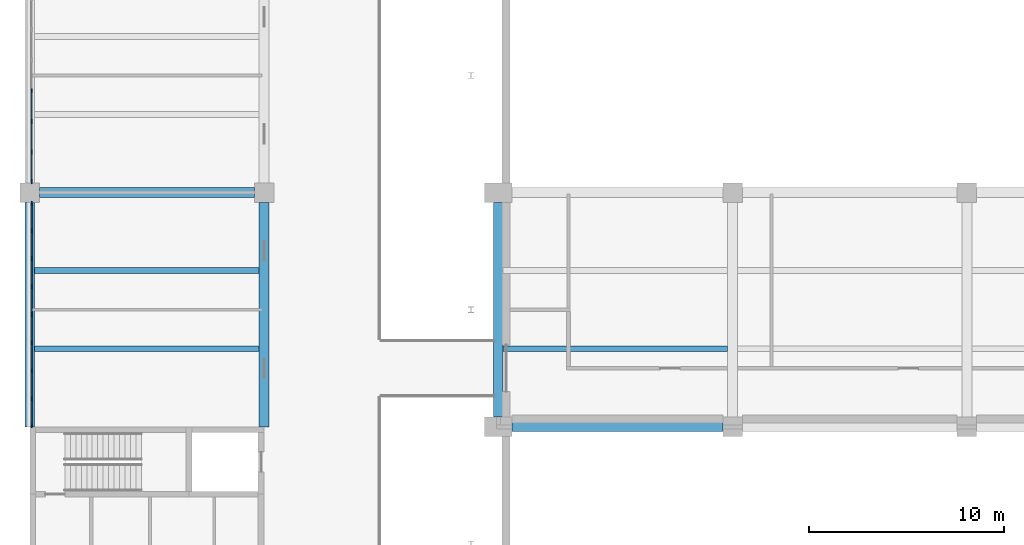
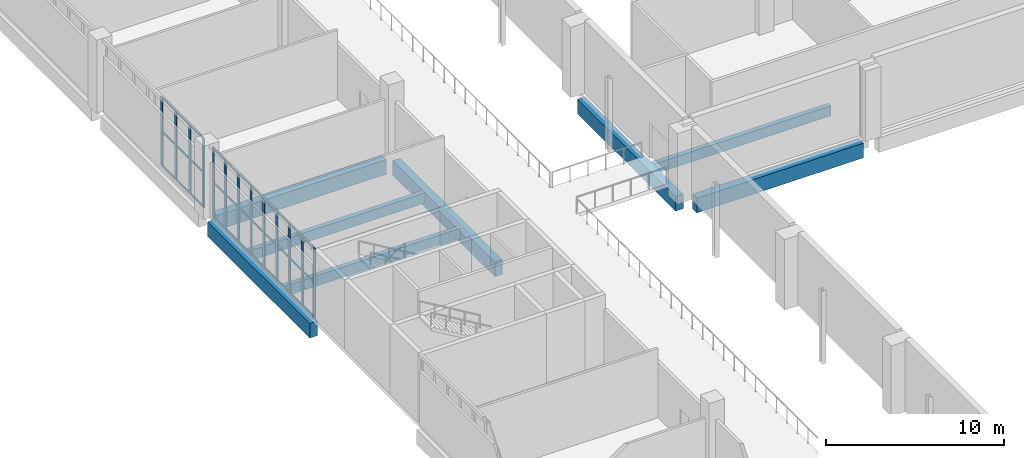
# One storey, part 18 of 69: 46 members, 8 beams, 2 elements without a shape of their own.
"""IFC4 building model written with IfcOpenShell, lengths in metres."""

import ifcopenshell
import ifcopenshell.guid

model = None  # the IFC model being written
_history = None  # IfcOwnerHistory: only IFC2X3 demands one
_inside = {}  # id of a spatial element -> (the spatial element, [elements in it])
_under = {}  # id of a project, library or spatial element -> (it, [spatial elements below it])
_declared = {}  # id of a project -> (the project, [libraries it declares])
_typed = {}  # id of a type object -> (the type object, [elements of that type])
_made_of = {}  # id of a material, layer set ... -> (it, [elements and type objects made of it])


def new_model(schema):
    """Start an empty IFC model of exactly this schema.

    Asked for "IFC4X3", IfcOpenShell would pick the latest addendum, in which some entities
    have other attributes; the version numbers below select the first issue.
    IFC2X3 requires an IfcOwnerHistory on every rooted entity: one is made here for all.
    """
    global model, _history
    if schema == "IFC4X3":
        model = ifcopenshell.file(schema_version=(4, 3, 0, 0))
    else:
        model = ifcopenshell.file(schema=schema)
    _inside.clear()
    _under.clear()
    _declared.clear()
    _typed.clear()
    _made_of.clear()
    _history = None
    if model.schema == "IFC2X3":
        org = make("IfcOrganization", Name="unknown")
        user = make(
            "IfcPersonAndOrganization",
            ThePerson=make("IfcPerson", FamilyName="unknown"),
            TheOrganization=org,
        )
        app = make(
            "IfcApplication",
            ApplicationDeveloper=org,
            Version="unknown",
            ApplicationFullName="unknown",
            ApplicationIdentifier="unknown",
        )
        _history = make(
            "IfcOwnerHistory",
            OwningUser=user,
            OwningApplication=app,
            ChangeAction="ADDED",
            CreationDate=0,
        )
    return model


def make(cls, **values):
    """One entity of the class cls with the attributes given. An attribute that is None is left unset."""
    return model.create_entity(
        cls, **{name: value for name, value in values.items() if value is not None}
    )


def rooted(cls, **values):
    """An entity with a GlobalId (a new one), such as an element, a storey or a relation."""
    return make(cls, GlobalId=ifcopenshell.guid.new(), OwnerHistory=_history, **values)


def si_unit(unit_type, name, prefix=None):
    """IfcSIUnit, for example si_unit("LENGTHUNIT", "METRE", prefix="MILLI")."""
    return make("IfcSIUnit", UnitType=unit_type, Prefix=prefix, Name=name)


def assignment(units):
    """IfcUnitAssignment: the units of a project."""
    return None if units is None else make("IfcUnitAssignment", Units=units)


def point(xyz):
    """IfcCartesianPoint."""
    return None if xyz is None else make("IfcCartesianPoint", Coordinates=xyz)


def direction(xyz):
    """IfcDirection."""
    return None if xyz is None else make("IfcDirection", DirectionRatios=xyz)


def frame(location, z_axis=None, x_axis=None):
    """IfcAxis2Placement3D, a coordinate frame: its origin and axes. An axis left out is left unset."""
    return make(
        "IfcAxis2Placement3D",
        Location=point(location),
        Axis=direction(z_axis),
        RefDirection=direction(x_axis),
    )


def frame_2d(location, x_axis=None):
    """IfcAxis2Placement2D, a coordinate frame in the plane: its origin and x axis."""
    return make(
        "IfcAxis2Placement2D", Location=point(location), RefDirection=direction(x_axis)
    )


def origin():
    """The frame at (0, 0, 0) with its axes left unset."""
    return frame((0.0, 0.0, 0.0))


def origin_2d():
    """The frame at (0, 0) in the plane with its x axis left unset."""
    return frame_2d((0.0, 0.0))


def place(relative_to, where):
    """IfcLocalPlacement: puts the frame where relative to a parent placement (None: the world)."""
    return make(
        "IfcLocalPlacement", PlacementRelTo=relative_to, RelativePlacement=where
    )


def context(
    kind, dimensions, precision=None, world=None, true_north=None, identifier=None
):
    """IfcGeometricRepresentationContext, for example the 3D "Model" context."""
    return make(
        "IfcGeometricRepresentationContext",
        ContextIdentifier=identifier,
        ContextType=kind,
        CoordinateSpaceDimension=dimensions,
        Precision=precision,
        WorldCoordinateSystem=world,
        TrueNorth=true_north,
    )


def subcontext(parent, identifier, kind, view, scale=None):
    """IfcGeometricRepresentationSubContext, for example "Body" below "Model"."""
    return make(
        "IfcGeometricRepresentationSubContext",
        ContextIdentifier=identifier,
        ContextType=kind,
        ParentContext=parent,
        TargetScale=scale,
        TargetView=view,
    )


def project(units=None, contexts=None):
    """IfcProject with its units and contexts."""
    return rooted(
        "IfcProject",
        Name="project",
        RepresentationContexts=contexts,
        UnitsInContext=assignment(units),
    )


def spatial(cls, under=None, at=None, **own):
    """A site, building, storey or space (cls), placed at a placement, below another one or the project."""
    s = rooted(cls, ObjectPlacement=at, **own)
    if under is not None:
        _under.setdefault(under.id(), (under, []))[1].append(s)
    return s


def profile(cls, at=None, kind="AREA", **sizes):
    """A parametric profile (cls). Its sizes go by their IFC names, for example OverallWidth=200.0."""
    return make(cls, ProfileType=kind, Position=at, **sizes)


def rectangle(**sizes):
    """IfcRectangleProfileDef."""
    return profile("IfcRectangleProfileDef", **sizes)


def extrude(swept, where, along, depth):
    """IfcExtrudedAreaSolid: the profile swept, set in the frame where, extruded along a direction by depth."""
    return make(
        "IfcExtrudedAreaSolid",
        SweptArea=swept,
        Position=where,
        ExtrudedDirection=direction(along),
        Depth=depth,
    )


def shape(context_of_items, identifier, shape_type, items):
    """IfcShapeRepresentation: the items that make up one representation, for example the "Body"."""
    return make(
        "IfcShapeRepresentation",
        ContextOfItems=context_of_items,
        RepresentationIdentifier=identifier,
        RepresentationType=shape_type,
        Items=items,
    )


def material(Name=None, Category=None):
    """IfcMaterial."""
    return make("IfcMaterial", Name=Name, Category=Category)


def layer(
    of_material, thickness, ventilated=None, Name=None, Category=None, Priority=None
):
    """IfcMaterialLayer: one layer of a wall or slab, of a material (None: an air gap)."""
    return make(
        "IfcMaterialLayer",
        Material=of_material,
        LayerThickness=thickness,
        IsVentilated=ventilated,
        Name=Name,
        Category=Category,
        Priority=Priority,
    )


def layer_set(layers, Name=None):
    """IfcMaterialLayerSet."""
    return make("IfcMaterialLayerSet", MaterialLayers=layers, LayerSetName=Name)


def material_profile(
    of_material, cross_section, Name=None, Category=None, Priority=None
):
    """IfcMaterialProfile: a cross section and its material."""
    return make(
        "IfcMaterialProfile",
        Name=Name,
        Material=of_material,
        Profile=cross_section,
        Priority=Priority,
        Category=Category,
    )


def profile_set(profiles, Name=None, composite=None):
    """IfcMaterialProfileSet."""
    return make(
        "IfcMaterialProfileSet",
        Name=Name,
        MaterialProfiles=profiles,
        CompositeProfile=composite,
    )


def made_of(thing, what):
    """Note that an element or type object is made of a material, layer set ...; save() writes the relation."""
    if what is not None:
        _made_of.setdefault(what.id(), (what, []))[1].append(thing)
    return thing


def type_object(cls, material=None, **own):
    """A type object (cls), such as IfcWallType, which elements share."""
    return made_of(rooted(cls, **own), material)


def element(
    cls,
    number,
    at=None,
    inside=None,
    cuts=None,
    type_object=None,
    material=None,
    context=None,
    identifier="Body",
    shape_type=None,
    held_by="IfcProductDefinitionShape",
    body=None,
    shapes=None,
    **own,
):
    """One element of the class cls, such as IfcWall. Its Tag is "e" and its number.

    at: its placement. inside: the storey or other place that contains it. cuts: it is an
    opening in that element (IfcRelVoidsElement). A single representation is given by context,
    identifier, shape_type and body (its items); several are given by shapes. held_by: the class
    of the entity that holds the representations. save() writes the other relations.
    """
    e = rooted(cls, Tag="e%d" % number, ObjectPlacement=at, **own)
    if body is not None:
        shapes = [shape(context, identifier, shape_type, body)]
    if shapes is not None:
        e.Representation = make(held_by, Representations=shapes)
    if inside is not None:
        _inside.setdefault(inside.id(), (inside, []))[1].append(e)
    if cuts is not None:
        rooted(
            "IfcRelVoidsElement", RelatingBuildingElement=cuts, RelatedOpeningElement=e
        )
    if type_object is not None:
        _typed.setdefault(type_object.id(), (type_object, []))[1].append(e)
    return made_of(e, material)


def aggregate(whole, parts):
    """IfcRelAggregates: a whole, such as a stair, and the parts it consists of."""
    return rooted("IfcRelAggregates", RelatingObject=whole, RelatedObjects=parts)


def save(model, path):
    """Write the relations noted so far, then the file.

    IfcRelAggregates (storeys below a building ...), IfcRelContainedInSpatialStructure (elements
    in a storey), IfcRelDefinesByType, IfcRelAssociatesMaterial and IfcRelDeclares: one each for
    every whole, place, type object, material and project.
    """
    for whole, parts in _under.values():
        aggregate(whole, parts)
    for where, things in _inside.values():
        rooted(
            "IfcRelContainedInSpatialStructure",
            RelatedElements=things,
            RelatingStructure=where,
        )
    for kind, things in _typed.values():
        rooted("IfcRelDefinesByType", RelatedObjects=things, RelatingType=kind)
    for what, things in _made_of.values():
        rooted("IfcRelAssociatesMaterial", RelatedObjects=things, RelatingMaterial=what)
    for by, libraries in _declared.values():
        rooted("IfcRelDeclares", RelatingContext=by, RelatedDefinitions=libraries)
    model.write(path)


model = new_model("IFC4")

# Units and contexts
model_context = context("Model", 3, precision=1e-05, world=origin(), true_north=direction((0.0, 1.0)))
body_context = subcontext(model_context, "Body", "Model", "MODEL_VIEW")
ifc_project = project(units=[si_unit("LENGTHUNIT", "METRE"), si_unit("AREAUNIT", "SQUARE_METRE"), si_unit("VOLUMEUNIT", "CUBIC_METRE"), si_unit("PLANEANGLEUNIT", "RADIAN"), si_unit("MASSUNIT", "GRAM", prefix="KILO")], contexts=[model_context])

# Site, building, storey
site_placement = place(None, origin())
site = spatial("IfcSite", under=ifc_project, at=site_placement, CompositionType="ELEMENT")
building_placement = place(site_placement, origin())
building = spatial("IfcBuilding", under=site, at=building_placement, Name="Lilac Gate Convention Centre", CompositionType="ELEMENT")
storey_placement = place(building_placement, frame((0.0, 0.0, 12.0)))
storey = spatial("IfcBuildingStorey", under=building, at=storey_placement, Name="L02", CompositionType="ELEMENT", Elevation=12.0)

# Curtain wall, members
ifc_material_1 = material(Name="Aluminium framed double glazing", Category="aluminium")
ifc_layer = layer(ifc_material_1, 0.199951171875)
ifc_layer_set = layer_set([ifc_layer], Name="Aluminium framed double glazing")
curtain_wall_type = type_object("IfcCurtainWallType", Name="Unitised curtain wall 1500", PredefinedType="NOTDEFINED", material=ifc_layer_set)
curtain_wall_1_placement = place(storey_placement, origin())
curtain_wall_1 = element("IfcCurtainWall", 1, at=curtain_wall_1_placement, inside=storey, type_object=curtain_wall_type, Name="Curtain wall PW L02 7", PredefinedType="NOTDEFINED")
ifc_material_2 = material(Name="Aluminium alloy 6063", Category="aluminium")
ifc_material_profile_1 = material_profile(ifc_material_2, rectangle(XDim=0.06005859375, YDim=0.219970703125, at=origin_2d()), Name="Curtain wall mullion 60 x 220")
ifc_profile_set_1 = profile_set([ifc_material_profile_1], Name="Aluminium alloy 6063")
member_type_1 = type_object("IfcMemberType", Name="Curtain wall mullion 60 x 220", PredefinedType="MULLION", material=ifc_profile_set_1)
member_1_placement = place(storey_placement, frame((6.10009765625, 119.21435546875, 0.0), z_axis=(0.0, 0.0, 1.0), x_axis=(1.0, 0.0, 0.0)))
member_1 = element("IfcMember", 2, at=member_1_placement, type_object=member_type_1, Name="CW mullion 5", PredefinedType="MULLION", context=body_context, shape_type="SweptSolid", body=[
    extrude(rectangle(XDim=0.06005859375, YDim=0.219970703125, at=origin_2d()), origin(), (0.0, 0.0, 1.0), 4.75),
])
member_2_placement = place(storey_placement, frame((6.10009765625, 117.642822265625, 0.0), z_axis=(0.0, 0.0, 1.0), x_axis=(1.0, 0.0, 0.0)))
member_2 = element("IfcMember", 3, at=member_2_placement, type_object=member_type_1, Name="CW mullion 6", PredefinedType="MULLION", context=body_context, shape_type="SweptSolid", body=[
    extrude(rectangle(XDim=0.06005859375, YDim=0.219970703125, at=origin_2d()), origin(), (0.0, 0.0, 1.0), 4.75),
])
member_3_placement = place(storey_placement, frame((6.10009765625, 116.071533203125, 0.0), z_axis=(0.0, 0.0, 1.0), x_axis=(1.0, 0.0, 0.0)))
member_3 = element("IfcMember", 4, at=member_3_placement, type_object=member_type_1, Name="CW mullion 7", PredefinedType="MULLION", context=body_context, shape_type="SweptSolid", body=[
    extrude(rectangle(XDim=0.06005859375, YDim=0.219970703125, at=origin_2d()), origin(), (0.0, 0.0, 1.0), 4.75),
])
member_4_placement = place(storey_placement, frame((6.10009765625, 114.56005859375, 0.0), z_axis=(0.0, 0.0, 1.0), x_axis=(1.0, 0.0, 0.0)))
member_4 = element("IfcMember", 5, at=member_4_placement, type_object=member_type_1, Name="CW mullion 8", PredefinedType="MULLION", context=body_context, shape_type="SweptSolid", body=[
    extrude(rectangle(XDim=0.06005859375, YDim=0.219970703125, at=origin_2d()), origin(), (0.0, 0.0, 1.0), 4.75),
])

curtain_wall_2_placement = place(storey_placement, origin())
curtain_wall_2 = element("IfcCurtainWall", 6, at=curtain_wall_2_placement, inside=storey, type_object=curtain_wall_type, Name="Curtain wall PW L02 8", PredefinedType="NOTDEFINED")
member_5_placement = place(storey_placement, frame((6.10009765625, 113.43994140625, 0.0), z_axis=(0.0, 0.0, 1.0), x_axis=(1.0, 0.0, 0.0)))
member_5 = element("IfcMember", 7, at=member_5_placement, type_object=member_type_1, Name="CW mullion 1", PredefinedType="MULLION", context=body_context, shape_type="SweptSolid", body=[
    extrude(rectangle(XDim=0.06005859375, YDim=0.219970703125, at=origin_2d()), origin(), (0.0, 0.0, 1.0), 4.75),
])
member_6_placement = place(storey_placement, frame((6.10009765625, 112.0625, 0.0), z_axis=(0.0, 0.0, 1.0), x_axis=(1.0, 0.0, 0.0)))
member_6 = element("IfcMember", 8, at=member_6_placement, type_object=member_type_1, Name="CW mullion 2", PredefinedType="MULLION", context=body_context, shape_type="SweptSolid", body=[
    extrude(rectangle(XDim=0.06005859375, YDim=0.219970703125, at=origin_2d()), origin(), (0.0, 0.0, 1.0), 4.75),
])
member_7_placement = place(storey_placement, frame((6.10009765625, 110.625, 0.0), z_axis=(0.0, 0.0, 1.0), x_axis=(1.0, 0.0, 0.0)))
member_7 = element("IfcMember", 9, at=member_7_placement, type_object=member_type_1, Name="CW mullion 3", PredefinedType="MULLION", context=body_context, shape_type="SweptSolid", body=[
    extrude(rectangle(XDim=0.06005859375, YDim=0.219970703125, at=origin_2d()), origin(), (0.0, 0.0, 1.0), 4.75),
])
member_8_placement = place(storey_placement, frame((6.10009765625, 109.1875, 0.0), z_axis=(0.0, 0.0, 1.0), x_axis=(1.0, 0.0, 0.0)))
member_8 = element("IfcMember", 10, at=member_8_placement, type_object=member_type_1, Name="CW mullion 4", PredefinedType="MULLION", context=body_context, shape_type="SweptSolid", body=[
    extrude(rectangle(XDim=0.06005859375, YDim=0.219970703125, at=origin_2d()), origin(), (0.0, 0.0, 1.0), 4.75),
])
member_9_placement = place(storey_placement, frame((6.10009765625, 107.75, 0.0), z_axis=(0.0, 0.0, 1.0), x_axis=(1.0, 0.0, 0.0)))
member_9 = element("IfcMember", 11, at=member_9_placement, type_object=member_type_1, Name="CW mullion 5", PredefinedType="MULLION", context=body_context, shape_type="SweptSolid", body=[
    extrude(rectangle(XDim=0.06005859375, YDim=0.219970703125, at=origin_2d()), origin(), (0.0, 0.0, 1.0), 4.75),
])
member_10_placement = place(storey_placement, frame((6.10009765625, 106.3125, 0.0), z_axis=(0.0, 0.0, 1.0), x_axis=(1.0, 0.0, 0.0)))
member_10 = element("IfcMember", 12, at=member_10_placement, type_object=member_type_1, Name="CW mullion 6", PredefinedType="MULLION", context=body_context, shape_type="SweptSolid", body=[
    extrude(rectangle(XDim=0.06005859375, YDim=0.219970703125, at=origin_2d()), origin(), (0.0, 0.0, 1.0), 4.75),
])
member_11_placement = place(storey_placement, frame((6.10009765625, 104.875, 0.0), z_axis=(0.0, 0.0, 1.0), x_axis=(1.0, 0.0, 0.0)))
member_11 = element("IfcMember", 13, at=member_11_placement, type_object=member_type_1, Name="CW mullion 7", PredefinedType="MULLION", context=body_context, shape_type="SweptSolid", body=[
    extrude(rectangle(XDim=0.06005859375, YDim=0.219970703125, at=origin_2d()), origin(), (0.0, 0.0, 1.0), 4.75),
])
member_12_placement = place(storey_placement, frame((6.10009765625, 103.4375, 0.0), z_axis=(0.0, 0.0, 1.0), x_axis=(1.0, 0.0, 0.0)))
member_12 = element("IfcMember", 14, at=member_12_placement, type_object=member_type_1, Name="CW mullion 8", PredefinedType="MULLION", context=body_context, shape_type="SweptSolid", body=[
    extrude(rectangle(XDim=0.06005859375, YDim=0.219970703125, at=origin_2d()), origin(), (0.0, 0.0, 1.0), 4.75),
])
member_13_placement = place(storey_placement, frame((6.10009765625, 102.06005859375, 0.0), z_axis=(0.0, 0.0, 1.0), x_axis=(1.0, 0.0, 0.0)))
member_13 = element("IfcMember", 15, at=member_13_placement, type_object=member_type_1, Name="CW mullion 9", PredefinedType="MULLION", context=body_context, shape_type="SweptSolid", body=[
    extrude(rectangle(XDim=0.06005859375, YDim=0.219970703125, at=origin_2d()), origin(), (0.0, 0.0, 1.0), 4.75),
])

# Member
ifc_material_profile_2 = material_profile(ifc_material_2, rectangle(XDim=0.06005859375, YDim=0.1201171875, at=origin_2d()), Name="Curtain wall transom 60 x 120")
ifc_profile_set_2 = profile_set([ifc_material_profile_2], Name="Aluminium alloy 6063")
member_type_2 = type_object("IfcMemberType", Name="Curtain wall transom 60 x 120", PredefinedType="USERDEFINED", material=ifc_profile_set_2)
member_14_placement = place(storey_placement, frame((6.10009765625, 119.184326171875, 0.030029296875), z_axis=(0.0, -1.0, 0.0), x_axis=(1.0, 0.0, 0.0)))
member_14 = element("IfcMember", 16, at=member_14_placement, type_object=member_type_2, Name="CW transom 5.1", ObjectType="TRANSOM", PredefinedType="USERDEFINED", context=body_context, shape_type="SweptSolid", body=[
    extrude(rectangle(XDim=0.06005859375, YDim=0.1201171875, at=origin_2d()), origin(), (0.0, 0.0, 1.0), 1.511474609375),
])

member_15_placement = place(storey_placement, frame((6.10009765625, 119.184326171875, 2.375), z_axis=(0.0, -1.0, 0.0), x_axis=(1.0, 0.0, 0.0)))
member_15 = element("IfcMember", 17, at=member_15_placement, type_object=member_type_2, Name="CW transom 5.2", ObjectType="TRANSOM", PredefinedType="USERDEFINED", context=body_context, shape_type="SweptSolid", body=[
    extrude(rectangle(XDim=0.06005859375, YDim=0.1201171875, at=origin_2d()), origin(), (0.0, 0.0, 1.0), 1.511474609375),
])

member_16_placement = place(storey_placement, frame((6.10009765625, 119.184326171875, 4.719970703125), z_axis=(0.0, -1.0, 0.0), x_axis=(1.0, 0.0, 0.0)))
member_16 = element("IfcMember", 18, at=member_16_placement, type_object=member_type_2, Name="CW transom 5.3", ObjectType="TRANSOM", PredefinedType="USERDEFINED", context=body_context, shape_type="SweptSolid", body=[
    extrude(rectangle(XDim=0.06005859375, YDim=0.1201171875, at=origin_2d()), origin(), (0.0, 0.0, 1.0), 1.511474609375),
])

member_17_placement = place(storey_placement, frame((6.10009765625, 117.61279296875, 0.030029296875), z_axis=(0.0, -1.0, 0.0), x_axis=(1.0, 0.0, 0.0)))
member_17 = element("IfcMember", 19, at=member_17_placement, type_object=member_type_2, Name="CW transom 6.1", ObjectType="TRANSOM", PredefinedType="USERDEFINED", context=body_context, shape_type="SweptSolid", body=[
    extrude(rectangle(XDim=0.06005859375, YDim=0.1201171875, at=origin_2d()), origin(), (0.0, 0.0, 1.0), 1.511474609375),
])

member_18_placement = place(storey_placement, frame((6.10009765625, 117.61279296875, 2.375), z_axis=(0.0, -1.0, 0.0), x_axis=(1.0, 0.0, 0.0)))
member_18 = element("IfcMember", 20, at=member_18_placement, type_object=member_type_2, Name="CW transom 6.2", ObjectType="TRANSOM", PredefinedType="USERDEFINED", context=body_context, shape_type="SweptSolid", body=[
    extrude(rectangle(XDim=0.06005859375, YDim=0.1201171875, at=origin_2d()), origin(), (0.0, 0.0, 1.0), 1.511474609375),
])

member_19_placement = place(storey_placement, frame((6.10009765625, 117.61279296875, 4.719970703125), z_axis=(0.0, -1.0, 0.0), x_axis=(1.0, 0.0, 0.0)))
member_19 = element("IfcMember", 21, at=member_19_placement, type_object=member_type_2, Name="CW transom 6.3", ObjectType="TRANSOM", PredefinedType="USERDEFINED", context=body_context, shape_type="SweptSolid", body=[
    extrude(rectangle(XDim=0.06005859375, YDim=0.1201171875, at=origin_2d()), origin(), (0.0, 0.0, 1.0), 1.511474609375),
])

member_20_placement = place(storey_placement, frame((6.10009765625, 116.04150390625, 0.030029296875), z_axis=(0.0, -1.0, 0.0), x_axis=(1.0, 0.0, 0.0)))
member_20 = element("IfcMember", 22, at=member_20_placement, type_object=member_type_2, Name="CW transom 7.1", ObjectType="TRANSOM", PredefinedType="USERDEFINED", context=body_context, shape_type="SweptSolid", body=[
    extrude(rectangle(XDim=0.06005859375, YDim=0.1201171875, at=origin_2d()), origin(), (0.0, 0.0, 1.0), 1.4814453125),
])

member_21_placement = place(storey_placement, frame((6.10009765625, 116.04150390625, 2.375), z_axis=(0.0, -1.0, 0.0), x_axis=(1.0, 0.0, 0.0)))
member_21 = element("IfcMember", 23, at=member_21_placement, type_object=member_type_2, Name="CW transom 7.2", ObjectType="TRANSOM", PredefinedType="USERDEFINED", context=body_context, shape_type="SweptSolid", body=[
    extrude(rectangle(XDim=0.06005859375, YDim=0.1201171875, at=origin_2d()), origin(), (0.0, 0.0, 1.0), 1.4814453125),
])

member_22_placement = place(storey_placement, frame((6.10009765625, 116.04150390625, 4.719970703125), z_axis=(0.0, -1.0, 0.0), x_axis=(1.0, 0.0, 0.0)))
member_22 = element("IfcMember", 24, at=member_22_placement, type_object=member_type_2, Name="CW transom 7.3", ObjectType="TRANSOM", PredefinedType="USERDEFINED", context=body_context, shape_type="SweptSolid", body=[
    extrude(rectangle(XDim=0.06005859375, YDim=0.1201171875, at=origin_2d()), origin(), (0.0, 0.0, 1.0), 1.4814453125),
])

aggregate(curtain_wall_1, [member_1, member_2, member_3, member_4, member_14, member_15, member_16, member_17, member_18, member_19, member_20, member_21, member_22])

member_23_placement = place(storey_placement, frame((6.10009765625, 113.43994140625, 0.030029296875), z_axis=(0.0, -1.0, 0.0), x_axis=(1.0, 0.0, 0.0)))
member_23 = element("IfcMember", 25, at=member_23_placement, type_object=member_type_2, Name="CW transom 1.1", ObjectType="TRANSOM", PredefinedType="USERDEFINED", context=body_context, shape_type="SweptSolid", body=[
    extrude(rectangle(XDim=0.06005859375, YDim=0.1201171875, at=origin_2d()), origin(), (0.0, 0.0, 1.0), 1.347412109375),
])

member_24_placement = place(storey_placement, frame((6.10009765625, 113.43994140625, 2.375), z_axis=(0.0, -1.0, 0.0), x_axis=(1.0, 0.0, 0.0)))
member_24 = element("IfcMember", 26, at=member_24_placement, type_object=member_type_2, Name="CW transom 1.2", ObjectType="TRANSOM", PredefinedType="USERDEFINED", context=body_context, shape_type="SweptSolid", body=[
    extrude(rectangle(XDim=0.06005859375, YDim=0.1201171875, at=origin_2d()), origin(), (0.0, 0.0, 1.0), 1.347412109375),
])

member_25_placement = place(storey_placement, frame((6.10009765625, 113.43994140625, 4.719970703125), z_axis=(0.0, -1.0, 0.0), x_axis=(1.0, 0.0, 0.0)))
member_25 = element("IfcMember", 27, at=member_25_placement, type_object=member_type_2, Name="CW transom 1.3", ObjectType="TRANSOM", PredefinedType="USERDEFINED", context=body_context, shape_type="SweptSolid", body=[
    extrude(rectangle(XDim=0.06005859375, YDim=0.1201171875, at=origin_2d()), origin(), (0.0, 0.0, 1.0), 1.347412109375),
])

member_26_placement = place(storey_placement, frame((6.10009765625, 112.032470703125, 0.030029296875), z_axis=(0.0, -1.0, 0.0), x_axis=(1.0, 0.0, 0.0)))
member_26 = element("IfcMember", 28, at=member_26_placement, type_object=member_type_2, Name="CW transom 2.1", ObjectType="TRANSOM", PredefinedType="USERDEFINED", context=body_context, shape_type="SweptSolid", body=[
    extrude(rectangle(XDim=0.06005859375, YDim=0.1201171875, at=origin_2d()), origin(), (0.0, 0.0, 1.0), 1.37744140625),
])

member_27_placement = place(storey_placement, frame((6.10009765625, 112.032470703125, 2.375), z_axis=(0.0, -1.0, 0.0), x_axis=(1.0, 0.0, 0.0)))
member_27 = element("IfcMember", 29, at=member_27_placement, type_object=member_type_2, Name="CW transom 2.2", ObjectType="TRANSOM", PredefinedType="USERDEFINED", context=body_context, shape_type="SweptSolid", body=[
    extrude(rectangle(XDim=0.06005859375, YDim=0.1201171875, at=origin_2d()), origin(), (0.0, 0.0, 1.0), 1.37744140625),
])

member_28_placement = place(storey_placement, frame((6.10009765625, 112.032470703125, 4.719970703125), z_axis=(0.0, -1.0, 0.0), x_axis=(1.0, 0.0, 0.0)))
member_28 = element("IfcMember", 30, at=member_28_placement, type_object=member_type_2, Name="CW transom 2.3", ObjectType="TRANSOM", PredefinedType="USERDEFINED", context=body_context, shape_type="SweptSolid", body=[
    extrude(rectangle(XDim=0.06005859375, YDim=0.1201171875, at=origin_2d()), origin(), (0.0, 0.0, 1.0), 1.37744140625),
])

member_29_placement = place(storey_placement, frame((6.10009765625, 110.594970703125, 0.030029296875), z_axis=(0.0, -1.0, 0.0), x_axis=(1.0, 0.0, 0.0)))
member_29 = element("IfcMember", 31, at=member_29_placement, type_object=member_type_2, Name="CW transom 3.1", ObjectType="TRANSOM", PredefinedType="USERDEFINED", context=body_context, shape_type="SweptSolid", body=[
    extrude(rectangle(XDim=0.06005859375, YDim=0.1201171875, at=origin_2d()), origin(), (0.0, 0.0, 1.0), 1.37744140625),
])

member_30_placement = place(storey_placement, frame((6.10009765625, 110.594970703125, 2.375), z_axis=(0.0, -1.0, 0.0), x_axis=(1.0, 0.0, 0.0)))
member_30 = element("IfcMember", 32, at=member_30_placement, type_object=member_type_2, Name="CW transom 3.2", ObjectType="TRANSOM", PredefinedType="USERDEFINED", context=body_context, shape_type="SweptSolid", body=[
    extrude(rectangle(XDim=0.06005859375, YDim=0.1201171875, at=origin_2d()), origin(), (0.0, 0.0, 1.0), 1.37744140625),
])

member_31_placement = place(storey_placement, frame((6.10009765625, 110.594970703125, 4.719970703125), z_axis=(0.0, -1.0, 0.0), x_axis=(1.0, 0.0, 0.0)))
member_31 = element("IfcMember", 33, at=member_31_placement, type_object=member_type_2, Name="CW transom 3.3", ObjectType="TRANSOM", PredefinedType="USERDEFINED", context=body_context, shape_type="SweptSolid", body=[
    extrude(rectangle(XDim=0.06005859375, YDim=0.1201171875, at=origin_2d()), origin(), (0.0, 0.0, 1.0), 1.37744140625),
])

member_32_placement = place(storey_placement, frame((6.10009765625, 109.157470703125, 0.030029296875), z_axis=(0.0, -1.0, 0.0), x_axis=(1.0, 0.0, 0.0)))
member_32 = element("IfcMember", 34, at=member_32_placement, type_object=member_type_2, Name="CW transom 4.1", ObjectType="TRANSOM", PredefinedType="USERDEFINED", context=body_context, shape_type="SweptSolid", body=[
    extrude(rectangle(XDim=0.06005859375, YDim=0.1201171875, at=origin_2d()), origin(), (0.0, 0.0, 1.0), 1.37744140625),
])

member_33_placement = place(storey_placement, frame((6.10009765625, 109.157470703125, 2.375), z_axis=(0.0, -1.0, 0.0), x_axis=(1.0, 0.0, 0.0)))
member_33 = element("IfcMember", 35, at=member_33_placement, type_object=member_type_2, Name="CW transom 4.2", ObjectType="TRANSOM", PredefinedType="USERDEFINED", context=body_context, shape_type="SweptSolid", body=[
    extrude(rectangle(XDim=0.06005859375, YDim=0.1201171875, at=origin_2d()), origin(), (0.0, 0.0, 1.0), 1.37744140625),
])

member_34_placement = place(storey_placement, frame((6.10009765625, 109.157470703125, 4.719970703125), z_axis=(0.0, -1.0, 0.0), x_axis=(1.0, 0.0, 0.0)))
member_34 = element("IfcMember", 36, at=member_34_placement, type_object=member_type_2, Name="CW transom 4.3", ObjectType="TRANSOM", PredefinedType="USERDEFINED", context=body_context, shape_type="SweptSolid", body=[
    extrude(rectangle(XDim=0.06005859375, YDim=0.1201171875, at=origin_2d()), origin(), (0.0, 0.0, 1.0), 1.37744140625),
])

member_35_placement = place(storey_placement, frame((6.10009765625, 107.719970703125, 0.030029296875), z_axis=(0.0, -1.0, 0.0), x_axis=(1.0, 0.0, 0.0)))
member_35 = element("IfcMember", 37, at=member_35_placement, type_object=member_type_2, Name="CW transom 5.1", ObjectType="TRANSOM", PredefinedType="USERDEFINED", context=body_context, shape_type="SweptSolid", body=[
    extrude(rectangle(XDim=0.06005859375, YDim=0.1201171875, at=origin_2d()), origin(), (0.0, 0.0, 1.0), 1.37744140625),
])

member_36_placement = place(storey_placement, frame((6.10009765625, 107.719970703125, 2.375), z_axis=(0.0, -1.0, 0.0), x_axis=(1.0, 0.0, 0.0)))
member_36 = element("IfcMember", 38, at=member_36_placement, type_object=member_type_2, Name="CW transom 5.2", ObjectType="TRANSOM", PredefinedType="USERDEFINED", context=body_context, shape_type="SweptSolid", body=[
    extrude(rectangle(XDim=0.06005859375, YDim=0.1201171875, at=origin_2d()), origin(), (0.0, 0.0, 1.0), 1.37744140625),
])

member_37_placement = place(storey_placement, frame((6.10009765625, 107.719970703125, 4.719970703125), z_axis=(0.0, -1.0, 0.0), x_axis=(1.0, 0.0, 0.0)))
member_37 = element("IfcMember", 39, at=member_37_placement, type_object=member_type_2, Name="CW transom 5.3", ObjectType="TRANSOM", PredefinedType="USERDEFINED", context=body_context, shape_type="SweptSolid", body=[
    extrude(rectangle(XDim=0.06005859375, YDim=0.1201171875, at=origin_2d()), origin(), (0.0, 0.0, 1.0), 1.37744140625),
])

member_38_placement = place(storey_placement, frame((6.10009765625, 106.282470703125, 0.030029296875), z_axis=(0.0, -1.0, 0.0), x_axis=(1.0, 0.0, 0.0)))
member_38 = element("IfcMember", 40, at=member_38_placement, type_object=member_type_2, Name="CW transom 6.1", ObjectType="TRANSOM", PredefinedType="USERDEFINED", context=body_context, shape_type="SweptSolid", body=[
    extrude(rectangle(XDim=0.06005859375, YDim=0.1201171875, at=origin_2d()), origin(), (0.0, 0.0, 1.0), 1.37744140625),
])

member_39_placement = place(storey_placement, frame((6.10009765625, 106.282470703125, 2.375), z_axis=(0.0, -1.0, 0.0), x_axis=(1.0, 0.0, 0.0)))
member_39 = element("IfcMember", 41, at=member_39_placement, type_object=member_type_2, Name="CW transom 6.2", ObjectType="TRANSOM", PredefinedType="USERDEFINED", context=body_context, shape_type="SweptSolid", body=[
    extrude(rectangle(XDim=0.06005859375, YDim=0.1201171875, at=origin_2d()), origin(), (0.0, 0.0, 1.0), 1.37744140625),
])

member_40_placement = place(storey_placement, frame((6.10009765625, 106.282470703125, 4.719970703125), z_axis=(0.0, -1.0, 0.0), x_axis=(1.0, 0.0, 0.0)))
member_40 = element("IfcMember", 42, at=member_40_placement, type_object=member_type_2, Name="CW transom 6.3", ObjectType="TRANSOM", PredefinedType="USERDEFINED", context=body_context, shape_type="SweptSolid", body=[
    extrude(rectangle(XDim=0.06005859375, YDim=0.1201171875, at=origin_2d()), origin(), (0.0, 0.0, 1.0), 1.37744140625),
])

member_41_placement = place(storey_placement, frame((6.10009765625, 104.844970703125, 0.030029296875), z_axis=(0.0, -1.0, 0.0), x_axis=(1.0, 0.0, 0.0)))
member_41 = element("IfcMember", 43, at=member_41_placement, type_object=member_type_2, Name="CW transom 7.1", ObjectType="TRANSOM", PredefinedType="USERDEFINED", context=body_context, shape_type="SweptSolid", body=[
    extrude(rectangle(XDim=0.06005859375, YDim=0.1201171875, at=origin_2d()), origin(), (0.0, 0.0, 1.0), 1.37744140625),
])

member_42_placement = place(storey_placement, frame((6.10009765625, 104.844970703125, 2.375), z_axis=(0.0, -1.0, 0.0), x_axis=(1.0, 0.0, 0.0)))
member_42 = element("IfcMember", 44, at=member_42_placement, type_object=member_type_2, Name="CW transom 7.2", ObjectType="TRANSOM", PredefinedType="USERDEFINED", context=body_context, shape_type="SweptSolid", body=[
    extrude(rectangle(XDim=0.06005859375, YDim=0.1201171875, at=origin_2d()), origin(), (0.0, 0.0, 1.0), 1.37744140625),
])

member_43_placement = place(storey_placement, frame((6.10009765625, 104.844970703125, 4.719970703125), z_axis=(0.0, -1.0, 0.0), x_axis=(1.0, 0.0, 0.0)))
member_43 = element("IfcMember", 45, at=member_43_placement, type_object=member_type_2, Name="CW transom 7.3", ObjectType="TRANSOM", PredefinedType="USERDEFINED", context=body_context, shape_type="SweptSolid", body=[
    extrude(rectangle(XDim=0.06005859375, YDim=0.1201171875, at=origin_2d()), origin(), (0.0, 0.0, 1.0), 1.37744140625),
])

member_44_placement = place(storey_placement, frame((6.10009765625, 103.407470703125, 0.030029296875), z_axis=(0.0, -1.0, 0.0), x_axis=(1.0, 0.0, 0.0)))
member_44 = element("IfcMember", 46, at=member_44_placement, type_object=member_type_2, Name="CW transom 8.1", ObjectType="TRANSOM", PredefinedType="USERDEFINED", context=body_context, shape_type="SweptSolid", body=[
    extrude(rectangle(XDim=0.06005859375, YDim=0.1201171875, at=origin_2d()), origin(), (0.0, 0.0, 1.0), 1.347412109375),
])

member_45_placement = place(storey_placement, frame((6.10009765625, 103.407470703125, 2.375), z_axis=(0.0, -1.0, 0.0), x_axis=(1.0, 0.0, 0.0)))
member_45 = element("IfcMember", 47, at=member_45_placement, type_object=member_type_2, Name="CW transom 8.2", ObjectType="TRANSOM", PredefinedType="USERDEFINED", context=body_context, shape_type="SweptSolid", body=[
    extrude(rectangle(XDim=0.06005859375, YDim=0.1201171875, at=origin_2d()), origin(), (0.0, 0.0, 1.0), 1.347412109375),
])

member_46_placement = place(storey_placement, frame((6.10009765625, 103.407470703125, 4.719970703125), z_axis=(0.0, -1.0, 0.0), x_axis=(1.0, 0.0, 0.0)))
member_46 = element("IfcMember", 48, at=member_46_placement, type_object=member_type_2, Name="CW transom 8.3", ObjectType="TRANSOM", PredefinedType="USERDEFINED", context=body_context, shape_type="SweptSolid", body=[
    extrude(rectangle(XDim=0.06005859375, YDim=0.1201171875, at=origin_2d()), origin(), (0.0, 0.0, 1.0), 1.347412109375),
])

aggregate(curtain_wall_2, [member_5, member_6, member_7, member_8, member_9, member_10, member_11, member_12, member_13, member_23, member_24, member_25, member_26, member_27, member_28, member_29, member_30, member_31, member_32, member_33, member_34, member_35, member_36, member_37, member_38, member_39, member_40, member_41, member_42, member_43, member_44, member_45, member_46])

# Beams
ifc_material_3 = material(Name="Concrete C40", Category="concrete")
ifc_material_profile_3 = material_profile(ifc_material_3, rectangle(XDim=0.5, YDim=1.0, at=origin_2d()), Name="RC 500x1000")
ifc_profile_set_3 = profile_set([ifc_material_profile_3], Name="Concrete C40")
beam_type_1 = type_object("IfcBeamType", Name="Primary beam 500x1000 C40", PredefinedType="BEAM", material=ifc_profile_set_3)
beam_1_placement = place(storey_placement, frame((30.699951171875, 102.0, -0.75), z_axis=(1.0, 0.0, 0.0), x_axis=(0.0, 1.0, 0.0)))
element("IfcBeam", 49, at=beam_1_placement, inside=storey, type_object=beam_type_1, Name="RB1 L02 3/G-4/G", PredefinedType="BEAM", context=body_context, shape_type="SweptSolid", body=[
    extrude(rectangle(XDim=0.5, YDim=1.0, at=origin_2d()), origin(), (0.0, 0.0, 1.0), 10.800048828125),
])
beam_2_placement = place(storey_placement, frame((6.5, 114.0, -0.75), z_axis=(1.0, 0.0, 0.0), x_axis=(0.0, 1.0, 0.0)))
element("IfcBeam", 50, at=beam_2_placement, inside=storey, type_object=beam_type_1, Name="RB1 L02 1/H-2/H", PredefinedType="BEAM", context=body_context, shape_type="SweptSolid", body=[
    extrude(rectangle(XDim=0.5, YDim=1.0, at=origin_2d()), origin(), (0.0, 0.0, 1.0), 11.0),
])
for number, where, z_axis, x_axis, name in (
    (51, (6.0, 102.0, -0.75), (0.0, 1.0, 0.0), (-1.0, 0.0, 0.0), "RB1 L02 1/G-1/H"),
    (52, (18.0, 102.0, -0.75), (0.0, 1.0, 0.0), (-1.0, 0.0, 0.0), "RB1 L02 2/G-2/H"),
):
    element("IfcBeam", number, at=place(storey_placement, frame(where, z_axis=z_axis, x_axis=x_axis)), inside=storey, type_object=beam_type_1, Name=name, PredefinedType="BEAM", context=body_context, shape_type="SweptSolid", body=[
        extrude(rectangle(XDim=0.5, YDim=1.0, at=origin_2d()), origin(), (0.0, 0.0, 1.0), 11.5),
    ])
beam_3_placement = place(storey_placement, frame((30.0, 102.5, -0.75), z_axis=(0.0, 1.0, 0.0), x_axis=(-1.0, 0.0, 0.0)))
element("IfcBeam", 53, at=beam_3_placement, inside=storey, type_object=beam_type_1, Name="RB1 L02 3/G-3/H", PredefinedType="BEAM", context=body_context, shape_type="SweptSolid", body=[
    extrude(rectangle(XDim=0.5, YDim=1.0, at=origin_2d()), origin(), (0.0, 0.0, 1.0), 11.0),
])
ifc_material_profile_4 = material_profile(ifc_material_3, rectangle(XDim=0.300048828125, YDim=0.699951171875, at=origin_2d()), Name="RC 300x700")
ifc_profile_set_4 = profile_set([ifc_material_profile_4], Name="Concrete C40")
beam_type_2 = type_object("IfcBeamType", Name="Secondary beam 300x700 C40", PredefinedType="BEAM", material=ifc_profile_set_4)
for number, where, z_axis, x_axis, name in (
    (54, (6.25, 106.0, -0.60009765625), (1.0, 0.0, 0.0), (0.0, 1.0, 0.0), "RB2 L02 bay 1/G"),
    (55, (6.25, 110.0, -0.60009765625), (1.0, 0.0, 0.0), (0.0, 1.0, 0.0), "RB2 L02 bay 1/G"),
    (56, (30.25, 106.0, -0.60009765625), (1.0, 0.0, 0.0), (0.0, 1.0, 0.0), "RB2 L02 bay 3/G"),
):
    element("IfcBeam", number, at=place(storey_placement, frame(where, z_axis=z_axis, x_axis=x_axis)), inside=storey, type_object=beam_type_2, Name=name, PredefinedType="BEAM", context=body_context, shape_type="SweptSolid", body=[
        extrude(rectangle(XDim=0.300048828125, YDim=0.699951171875, at=origin_2d()), origin(), (0.0, 0.0, 1.0), 11.5),
    ])

save(model, "model.ifc")
